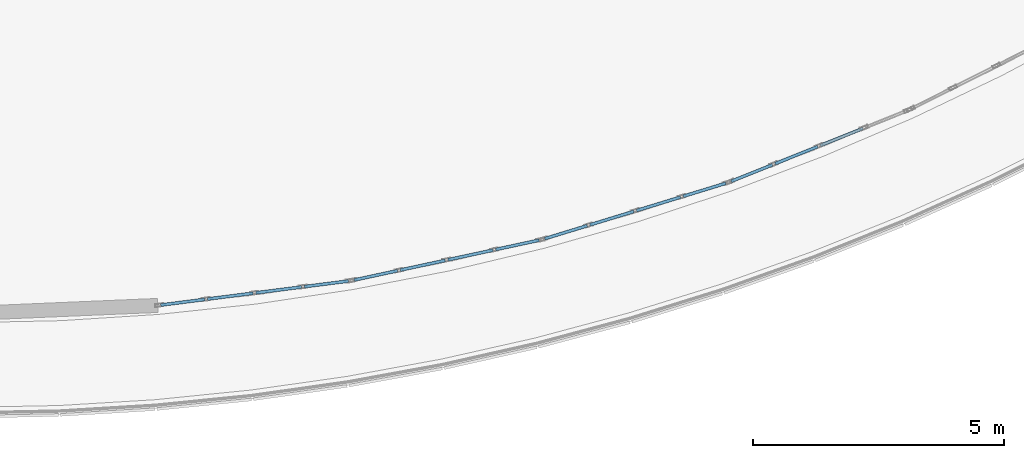
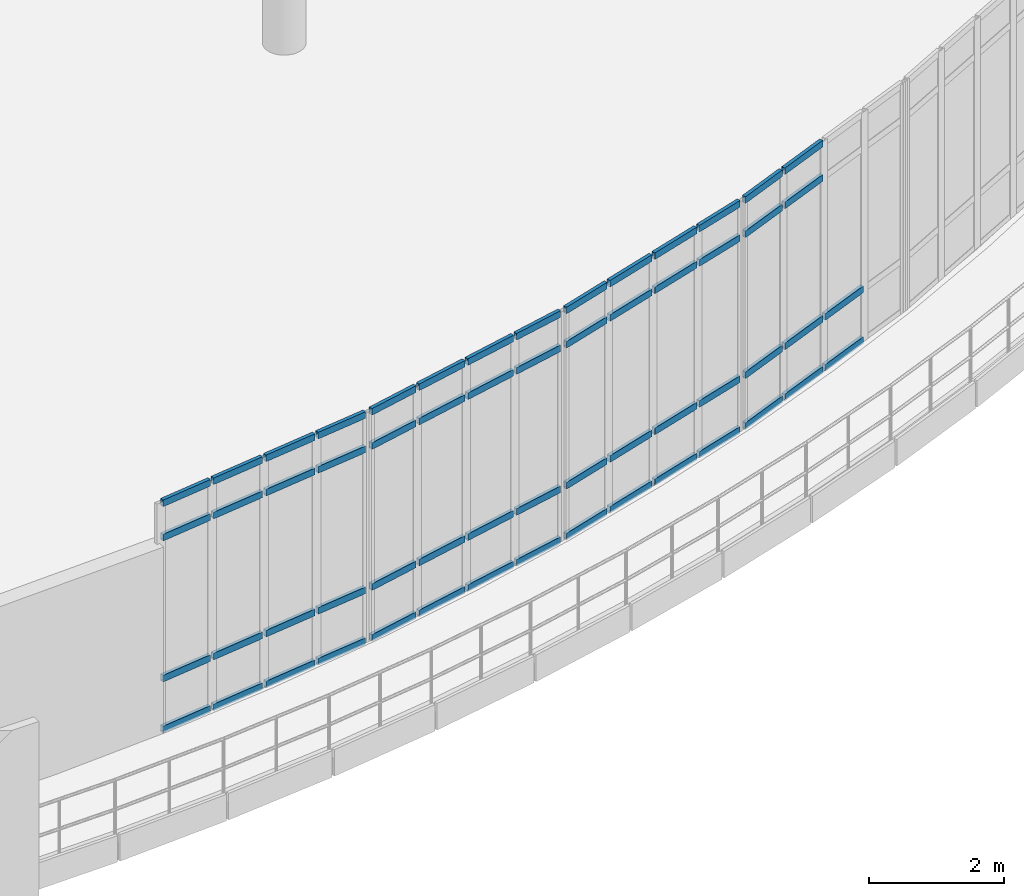
# One storey, part 79 of 116: 58 members, 4 elements without a shape of their own.
"""IFC4 building model written with IfcOpenShell, lengths in metres."""

from ifc_helpers import new_model, si_unit, direction, frame, origin, origin_2d, place, context, subcontext, project, spatial, hollow_rectangle, extrude, material, material_profile, profile_set, type_object, element, aggregate, save


model = new_model("IFC4")

# Units and contexts
model_context = context("Model", 3, precision=1e-05, world=origin(), true_north=direction((0.0, 1.0)))
body_context = subcontext(model_context, "Body", "Model", "MODEL_VIEW")
ifc_project = project(units=[si_unit("LENGTHUNIT", "METRE"), si_unit("AREAUNIT", "SQUARE_METRE"), si_unit("VOLUMEUNIT", "CUBIC_METRE"), si_unit("PLANEANGLEUNIT", "RADIAN"), si_unit("MASSUNIT", "GRAM", prefix="KILO")], contexts=[model_context])

# Site, building, storey
site_placement = place(None, origin())
site = spatial("IfcSite", under=ifc_project, at=site_placement, CompositionType="ELEMENT")
building_placement = place(site_placement, origin())
building = spatial("IfcBuilding", under=site, at=building_placement, Name="Kalluvel Institute of Natural Sciences", CompositionType="ELEMENT")
storey_placement = place(building_placement, frame((0.0, 0.0, 14.39990234375)))
storey = spatial("IfcBuildingStorey", under=building, at=storey_placement, Name="L03", CompositionType="ELEMENT", Elevation=14.39990234375)

# Curtain wall, members
ifc_material = material(Name="Aluminium AW-6063 T6", Category="aluminium")
curtain_wall_type = type_object("IfcCurtainWallType", Name="CW-ATR-ARC", PredefinedType="USERDEFINED", material=ifc_material)
curtain_wall_1_placement = place(storey_placement, origin())
curtain_wall_1 = element("IfcCurtainWall", 1, at=curtain_wall_1_placement, inside=storey, type_object=curtain_wall_type, Name="L03 Gothic lancet curtain wall CWA-L03-X395-Y571", ObjectType="UNITISED LANCET FACADE", PredefinedType="USERDEFINED")
ifc_material_profile = material_profile(ifc_material, hollow_rectangle(XDim=0.06005859375, YDim=0.1201171875, WallThickness=0.00390625, at=origin_2d()), Name="CWT 60x120")
ifc_profile_set = profile_set([ifc_material_profile], Name="Aluminium AW-6063 T6")
member_type = type_object("IfcMemberType", Name="CWT-60x120", PredefinedType="USERDEFINED", material=ifc_profile_set)
member_1_placement = place(storey_placement, frame((39.5478515625, 57.122802734375, 0.030029296875), z_axis=(0.991916497063, 0.126892327801, 0.0), x_axis=(-0.126892327801, 0.991916497063, 0.0)))
member_1 = element("IfcMember", 2, at=member_1_placement, type_object=member_type, Name="CW-05 transom 1.1", ObjectType="TRANSOM", PredefinedType="USERDEFINED", context=body_context, shape_type="SweptSolid", body=[
    extrude(hollow_rectangle(XDim=0.06005859375, YDim=0.1201171875, WallThickness=0.00390625, at=origin_2d()), origin(), (0.0, 0.0, 1.0), 0.883056640625),
])
member_2_placement = place(storey_placement, frame((39.5478515625, 57.122802734375, 0.9501953125), z_axis=(0.991916497063, 0.126892327801, 0.0), x_axis=(-0.126892327801, 0.991916497063, 0.0)))
member_2 = element("IfcMember", 3, at=member_2_placement, type_object=member_type, Name="CW-05 transom 1.2", ObjectType="TRANSOM", PredefinedType="USERDEFINED", context=body_context, shape_type="SweptSolid", body=[
    extrude(hollow_rectangle(XDim=0.06005859375, YDim=0.1201171875, WallThickness=0.00390625, at=origin_2d()), origin(), (0.0, 0.0, 1.0), 0.883056640625),
])
member_3_placement = place(storey_placement, frame((39.5478515625, 57.122802734375, 3.5), z_axis=(0.991916497063, 0.126892327801, 0.0), x_axis=(-0.126892327801, 0.991916497063, 0.0)))
member_3 = element("IfcMember", 4, at=member_3_placement, type_object=member_type, Name="CW-05 transom 1.3", ObjectType="TRANSOM", PredefinedType="USERDEFINED", context=body_context, shape_type="SweptSolid", body=[
    extrude(hollow_rectangle(XDim=0.06005859375, YDim=0.1201171875, WallThickness=0.00390625, at=origin_2d()), origin(), (0.0, 0.0, 1.0), 0.883056640625),
])
member_4_placement = place(storey_placement, frame((39.5478515625, 57.122802734375, 4.1201171875), z_axis=(0.991916497063, 0.126892327801, 0.0), x_axis=(-0.126892327801, 0.991916497063, 0.0)))
member_4 = element("IfcMember", 5, at=member_4_placement, type_object=member_type, Name="CW-05 transom 1.4", ObjectType="TRANSOM", PredefinedType="USERDEFINED", context=body_context, shape_type="SweptSolid", body=[
    extrude(hollow_rectangle(XDim=0.06005859375, YDim=0.1201171875, WallThickness=0.00390625, at=origin_2d()), origin(), (0.0, 0.0, 1.0), 0.883056640625),
])
member_5_placement = place(storey_placement, frame((40.483154296875, 57.24267578125, 0.030029296875), z_axis=(0.991898953717, 0.127029388788, 0.0), x_axis=(-0.127029388788, 0.991898953717, 0.0)))
member_5 = element("IfcMember", 6, at=member_5_placement, type_object=member_type, Name="CW-05 transom 2.1", ObjectType="TRANSOM", PredefinedType="USERDEFINED", context=body_context, shape_type="SweptSolid", body=[
    extrude(hollow_rectangle(XDim=0.06005859375, YDim=0.1201171875, WallThickness=0.00390625, at=origin_2d()), origin(), (0.0, 0.0, 1.0), 0.912841796875),
])
member_6_placement = place(storey_placement, frame((40.483154296875, 57.24267578125, 0.9501953125), z_axis=(0.991898953717, 0.127029388788, 0.0), x_axis=(-0.127029388788, 0.991898953717, 0.0)))
member_6 = element("IfcMember", 7, at=member_6_placement, type_object=member_type, Name="CW-05 transom 2.2", ObjectType="TRANSOM", PredefinedType="USERDEFINED", context=body_context, shape_type="SweptSolid", body=[
    extrude(hollow_rectangle(XDim=0.06005859375, YDim=0.1201171875, WallThickness=0.00390625, at=origin_2d()), origin(), (0.0, 0.0, 1.0), 0.912841796875),
])
member_7_placement = place(storey_placement, frame((40.483154296875, 57.24267578125, 3.5), z_axis=(0.991898953717, 0.127029388788, 0.0), x_axis=(-0.127029388788, 0.991898953717, 0.0)))
member_7 = element("IfcMember", 8, at=member_7_placement, type_object=member_type, Name="CW-05 transom 2.3", ObjectType="TRANSOM", PredefinedType="USERDEFINED", context=body_context, shape_type="SweptSolid", body=[
    extrude(hollow_rectangle(XDim=0.06005859375, YDim=0.1201171875, WallThickness=0.00390625, at=origin_2d()), origin(), (0.0, 0.0, 1.0), 0.912841796875),
])
member_8_placement = place(storey_placement, frame((40.483154296875, 57.24267578125, 4.1201171875), z_axis=(0.991898953717, 0.127029388788, 0.0), x_axis=(-0.127029388788, 0.991898953717, 0.0)))
member_8 = element("IfcMember", 9, at=member_8_placement, type_object=member_type, Name="CW-05 transom 2.4", ObjectType="TRANSOM", PredefinedType="USERDEFINED", context=body_context, shape_type="SweptSolid", body=[
    extrude(hollow_rectangle(XDim=0.06005859375, YDim=0.1201171875, WallThickness=0.00390625, at=origin_2d()), origin(), (0.0, 0.0, 1.0), 0.912841796875),
])
member_9_placement = place(storey_placement, frame((41.4482421875, 57.3662109375, 0.030029296875), z_axis=(0.991898953717, 0.127029388788, 0.0), x_axis=(-0.127029388788, 0.991898953717, 0.0)))
member_9 = element("IfcMember", 10, at=member_9_placement, type_object=member_type, Name="CW-05 transom 3.1", ObjectType="TRANSOM", PredefinedType="USERDEFINED", context=body_context, shape_type="SweptSolid", body=[
    extrude(hollow_rectangle(XDim=0.06005859375, YDim=0.1201171875, WallThickness=0.00390625, at=origin_2d()), origin(), (0.0, 0.0, 1.0), 0.912841796875),
])
member_10_placement = place(storey_placement, frame((41.4482421875, 57.3662109375, 0.9501953125), z_axis=(0.991898953717, 0.127029388788, 0.0), x_axis=(-0.127029388788, 0.991898953717, 0.0)))
member_10 = element("IfcMember", 11, at=member_10_placement, type_object=member_type, Name="CW-05 transom 3.2", ObjectType="TRANSOM", PredefinedType="USERDEFINED", context=body_context, shape_type="SweptSolid", body=[
    extrude(hollow_rectangle(XDim=0.06005859375, YDim=0.1201171875, WallThickness=0.00390625, at=origin_2d()), origin(), (0.0, 0.0, 1.0), 0.912841796875),
])
member_11_placement = place(storey_placement, frame((41.4482421875, 57.3662109375, 3.5), z_axis=(0.991898953717, 0.127029388788, 0.0), x_axis=(-0.127029388788, 0.991898953717, 0.0)))
member_11 = element("IfcMember", 12, at=member_11_placement, type_object=member_type, Name="CW-05 transom 3.3", ObjectType="TRANSOM", PredefinedType="USERDEFINED", context=body_context, shape_type="SweptSolid", body=[
    extrude(hollow_rectangle(XDim=0.06005859375, YDim=0.1201171875, WallThickness=0.00390625, at=origin_2d()), origin(), (0.0, 0.0, 1.0), 0.912841796875),
])
member_12_placement = place(storey_placement, frame((41.4482421875, 57.3662109375, 4.1201171875), z_axis=(0.991898953717, 0.127029388788, 0.0), x_axis=(-0.127029388788, 0.991898953717, 0.0)))
member_12 = element("IfcMember", 13, at=member_12_placement, type_object=member_type, Name="CW-05 transom 3.4", ObjectType="TRANSOM", PredefinedType="USERDEFINED", context=body_context, shape_type="SweptSolid", body=[
    extrude(hollow_rectangle(XDim=0.06005859375, YDim=0.1201171875, WallThickness=0.00390625, at=origin_2d()), origin(), (0.0, 0.0, 1.0), 0.912841796875),
])
member_13_placement = place(storey_placement, frame((42.413330078125, 57.48974609375, 0.030029296875), z_axis=(0.991916497063, 0.126892327801, 0.0), x_axis=(-0.126892327801, 0.991916497063, 0.0)))
member_13 = element("IfcMember", 14, at=member_13_placement, type_object=member_type, Name="CW-05 transom 4.1", ObjectType="TRANSOM", PredefinedType="USERDEFINED", context=body_context, shape_type="SweptSolid", body=[
    extrude(hollow_rectangle(XDim=0.06005859375, YDim=0.1201171875, WallThickness=0.00390625, at=origin_2d()), origin(), (0.0, 0.0, 1.0), 0.883056640625),
])
member_14_placement = place(storey_placement, frame((42.413330078125, 57.48974609375, 0.9501953125), z_axis=(0.991916497063, 0.126892327801, 0.0), x_axis=(-0.126892327801, 0.991916497063, 0.0)))
member_14 = element("IfcMember", 15, at=member_14_placement, type_object=member_type, Name="CW-05 transom 4.2", ObjectType="TRANSOM", PredefinedType="USERDEFINED", context=body_context, shape_type="SweptSolid", body=[
    extrude(hollow_rectangle(XDim=0.06005859375, YDim=0.1201171875, WallThickness=0.00390625, at=origin_2d()), origin(), (0.0, 0.0, 1.0), 0.883056640625),
])
member_15_placement = place(storey_placement, frame((42.413330078125, 57.48974609375, 3.5), z_axis=(0.991916497063, 0.126892327801, 0.0), x_axis=(-0.126892327801, 0.991916497063, 0.0)))
member_15 = element("IfcMember", 16, at=member_15_placement, type_object=member_type, Name="CW-05 transom 4.3", ObjectType="TRANSOM", PredefinedType="USERDEFINED", context=body_context, shape_type="SweptSolid", body=[
    extrude(hollow_rectangle(XDim=0.06005859375, YDim=0.1201171875, WallThickness=0.00390625, at=origin_2d()), origin(), (0.0, 0.0, 1.0), 0.883056640625),
])
member_16_placement = place(storey_placement, frame((42.413330078125, 57.48974609375, 4.1201171875), z_axis=(0.991916497063, 0.126892327801, 0.0), x_axis=(-0.126892327801, 0.991916497063, 0.0)))
member_16 = element("IfcMember", 17, at=member_16_placement, type_object=member_type, Name="CW-05 transom 4.4", ObjectType="TRANSOM", PredefinedType="USERDEFINED", context=body_context, shape_type="SweptSolid", body=[
    extrude(hollow_rectangle(XDim=0.06005859375, YDim=0.1201171875, WallThickness=0.00390625, at=origin_2d()), origin(), (0.0, 0.0, 1.0), 0.883056640625),
])
aggregate(curtain_wall_1, [member_1, member_2, member_3, member_4, member_5, member_6, member_7, member_8, member_9, member_10, member_11, member_12, member_13, member_14, member_15, member_16])

curtain_wall_2_placement = place(storey_placement, origin())
curtain_wall_2 = element("IfcCurtainWall", 18, at=curtain_wall_2_placement, inside=storey, type_object=curtain_wall_type, Name="L03 Gothic lancet curtain wall CWA-L03-X433-Y576", ObjectType="UNITISED LANCET FACADE", PredefinedType="USERDEFINED")
member_17_placement = place(storey_placement, frame((43.407470703125, 57.6220703125, 0.030029296875), z_axis=(0.977546739623, 0.210718703138, 0.0), x_axis=(-0.210718703138, 0.977546739623, 0.0)))
member_17 = element("IfcMember", 19, at=member_17_placement, type_object=member_type, Name="CW-05 transom 1.1", ObjectType="TRANSOM", PredefinedType="USERDEFINED", context=body_context, shape_type="SweptSolid", body=[
    extrude(hollow_rectangle(XDim=0.06005859375, YDim=0.1201171875, WallThickness=0.00390625, at=origin_2d()), origin(), (0.0, 0.0, 1.0), 0.8828125),
])
member_18_placement = place(storey_placement, frame((43.407470703125, 57.6220703125, 0.9501953125), z_axis=(0.977546739623, 0.210718703138, 0.0), x_axis=(-0.210718703138, 0.977546739623, 0.0)))
member_18 = element("IfcMember", 20, at=member_18_placement, type_object=member_type, Name="CW-05 transom 1.2", ObjectType="TRANSOM", PredefinedType="USERDEFINED", context=body_context, shape_type="SweptSolid", body=[
    extrude(hollow_rectangle(XDim=0.06005859375, YDim=0.1201171875, WallThickness=0.00390625, at=origin_2d()), origin(), (0.0, 0.0, 1.0), 0.8828125),
])
member_19_placement = place(storey_placement, frame((43.407470703125, 57.6220703125, 3.5), z_axis=(0.977546739623, 0.210718703138, 0.0), x_axis=(-0.210718703138, 0.977546739623, 0.0)))
member_19 = element("IfcMember", 21, at=member_19_placement, type_object=member_type, Name="CW-05 transom 1.3", ObjectType="TRANSOM", PredefinedType="USERDEFINED", context=body_context, shape_type="SweptSolid", body=[
    extrude(hollow_rectangle(XDim=0.06005859375, YDim=0.1201171875, WallThickness=0.00390625, at=origin_2d()), origin(), (0.0, 0.0, 1.0), 0.8828125),
])
member_20_placement = place(storey_placement, frame((43.407470703125, 57.6220703125, 4.1201171875), z_axis=(0.977546739623, 0.210718703138, 0.0), x_axis=(-0.210718703138, 0.977546739623, 0.0)))
member_20 = element("IfcMember", 22, at=member_20_placement, type_object=member_type, Name="CW-05 transom 1.4", ObjectType="TRANSOM", PredefinedType="USERDEFINED", context=body_context, shape_type="SweptSolid", body=[
    extrude(hollow_rectangle(XDim=0.06005859375, YDim=0.1201171875, WallThickness=0.00390625, at=origin_2d()), origin(), (0.0, 0.0, 1.0), 0.8828125),
])
member_21_placement = place(storey_placement, frame((44.3291015625, 57.82080078125, 0.030029296875), z_axis=(0.977551288935, 0.210697597287, 0.0), x_axis=(-0.210697597287, 0.977551288935, 0.0)))
member_21 = element("IfcMember", 23, at=member_21_placement, type_object=member_type, Name="CW-05 transom 2.1", ObjectType="TRANSOM", PredefinedType="USERDEFINED", context=body_context, shape_type="SweptSolid", body=[
    extrude(hollow_rectangle(XDim=0.06005859375, YDim=0.1201171875, WallThickness=0.00390625, at=origin_2d()), origin(), (0.0, 0.0, 1.0), 0.9130859375),
])
member_22_placement = place(storey_placement, frame((44.3291015625, 57.82080078125, 0.9501953125), z_axis=(0.977551288935, 0.210697597287, 0.0), x_axis=(-0.210697597287, 0.977551288935, 0.0)))
member_22 = element("IfcMember", 24, at=member_22_placement, type_object=member_type, Name="CW-05 transom 2.2", ObjectType="TRANSOM", PredefinedType="USERDEFINED", context=body_context, shape_type="SweptSolid", body=[
    extrude(hollow_rectangle(XDim=0.06005859375, YDim=0.1201171875, WallThickness=0.00390625, at=origin_2d()), origin(), (0.0, 0.0, 1.0), 0.9130859375),
])
member_23_placement = place(storey_placement, frame((44.3291015625, 57.82080078125, 3.5), z_axis=(0.977551288935, 0.210697597287, 0.0), x_axis=(-0.210697597287, 0.977551288935, 0.0)))
member_23 = element("IfcMember", 25, at=member_23_placement, type_object=member_type, Name="CW-05 transom 2.3", ObjectType="TRANSOM", PredefinedType="USERDEFINED", context=body_context, shape_type="SweptSolid", body=[
    extrude(hollow_rectangle(XDim=0.06005859375, YDim=0.1201171875, WallThickness=0.00390625, at=origin_2d()), origin(), (0.0, 0.0, 1.0), 0.9130859375),
])
member_24_placement = place(storey_placement, frame((44.3291015625, 57.82080078125, 4.1201171875), z_axis=(0.977551288935, 0.210697597287, 0.0), x_axis=(-0.210697597287, 0.977551288935, 0.0)))
member_24 = element("IfcMember", 26, at=member_24_placement, type_object=member_type, Name="CW-05 transom 2.4", ObjectType="TRANSOM", PredefinedType="USERDEFINED", context=body_context, shape_type="SweptSolid", body=[
    extrude(hollow_rectangle(XDim=0.06005859375, YDim=0.1201171875, WallThickness=0.00390625, at=origin_2d()), origin(), (0.0, 0.0, 1.0), 0.9130859375),
])
member_25_placement = place(storey_placement, frame((45.2802734375, 58.02587890625, 0.030029296875), z_axis=(0.977606330848, 0.210442063014, 0.0), x_axis=(-0.210442063014, 0.977606330848, 0.0)))
member_25 = element("IfcMember", 27, at=member_25_placement, type_object=member_type, Name="CW-05 transom 3.1", ObjectType="TRANSOM", PredefinedType="USERDEFINED", context=body_context, shape_type="SweptSolid", body=[
    extrude(hollow_rectangle(XDim=0.06005859375, YDim=0.1201171875, WallThickness=0.00390625, at=origin_2d()), origin(), (0.0, 0.0, 1.0), 0.9130859375),
])
member_26_placement = place(storey_placement, frame((45.2802734375, 58.02587890625, 0.9501953125), z_axis=(0.977606330848, 0.210442063014, 0.0), x_axis=(-0.210442063014, 0.977606330848, 0.0)))
member_26 = element("IfcMember", 28, at=member_26_placement, type_object=member_type, Name="CW-05 transom 3.2", ObjectType="TRANSOM", PredefinedType="USERDEFINED", context=body_context, shape_type="SweptSolid", body=[
    extrude(hollow_rectangle(XDim=0.06005859375, YDim=0.1201171875, WallThickness=0.00390625, at=origin_2d()), origin(), (0.0, 0.0, 1.0), 0.9130859375),
])
member_27_placement = place(storey_placement, frame((45.2802734375, 58.02587890625, 3.5), z_axis=(0.977606330848, 0.210442063014, 0.0), x_axis=(-0.210442063014, 0.977606330848, 0.0)))
member_27 = element("IfcMember", 29, at=member_27_placement, type_object=member_type, Name="CW-05 transom 3.3", ObjectType="TRANSOM", PredefinedType="USERDEFINED", context=body_context, shape_type="SweptSolid", body=[
    extrude(hollow_rectangle(XDim=0.06005859375, YDim=0.1201171875, WallThickness=0.00390625, at=origin_2d()), origin(), (0.0, 0.0, 1.0), 0.9130859375),
])
member_28_placement = place(storey_placement, frame((45.2802734375, 58.02587890625, 4.1201171875), z_axis=(0.977606330848, 0.210442063014, 0.0), x_axis=(-0.210442063014, 0.977606330848, 0.0)))
member_28 = element("IfcMember", 30, at=member_28_placement, type_object=member_type, Name="CW-05 transom 3.4", ObjectType="TRANSOM", PredefinedType="USERDEFINED", context=body_context, shape_type="SweptSolid", body=[
    extrude(hollow_rectangle(XDim=0.06005859375, YDim=0.1201171875, WallThickness=0.00390625, at=origin_2d()), origin(), (0.0, 0.0, 1.0), 0.9130859375),
])
member_29_placement = place(storey_placement, frame((46.2314453125, 58.230712890625, 0.030029296875), z_axis=(0.977546739623, 0.210718703138, 0.0), x_axis=(-0.210718703138, 0.977546739623, 0.0)))
member_29 = element("IfcMember", 31, at=member_29_placement, type_object=member_type, Name="CW-05 transom 4.1", ObjectType="TRANSOM", PredefinedType="USERDEFINED", context=body_context, shape_type="SweptSolid", body=[
    extrude(hollow_rectangle(XDim=0.06005859375, YDim=0.1201171875, WallThickness=0.00390625, at=origin_2d()), origin(), (0.0, 0.0, 1.0), 0.8828125),
])
member_30_placement = place(storey_placement, frame((46.2314453125, 58.230712890625, 0.9501953125), z_axis=(0.977546739623, 0.210718703138, 0.0), x_axis=(-0.210718703138, 0.977546739623, 0.0)))
member_30 = element("IfcMember", 32, at=member_30_placement, type_object=member_type, Name="CW-05 transom 4.2", ObjectType="TRANSOM", PredefinedType="USERDEFINED", context=body_context, shape_type="SweptSolid", body=[
    extrude(hollow_rectangle(XDim=0.06005859375, YDim=0.1201171875, WallThickness=0.00390625, at=origin_2d()), origin(), (0.0, 0.0, 1.0), 0.8828125),
])
member_31_placement = place(storey_placement, frame((46.2314453125, 58.230712890625, 3.5), z_axis=(0.977546739623, 0.210718703138, 0.0), x_axis=(-0.210718703138, 0.977546739623, 0.0)))
member_31 = element("IfcMember", 33, at=member_31_placement, type_object=member_type, Name="CW-05 transom 4.3", ObjectType="TRANSOM", PredefinedType="USERDEFINED", context=body_context, shape_type="SweptSolid", body=[
    extrude(hollow_rectangle(XDim=0.06005859375, YDim=0.1201171875, WallThickness=0.00390625, at=origin_2d()), origin(), (0.0, 0.0, 1.0), 0.8828125),
])
member_32_placement = place(storey_placement, frame((46.2314453125, 58.230712890625, 4.1201171875), z_axis=(0.977546739623, 0.210718703138, 0.0), x_axis=(-0.210718703138, 0.977546739623, 0.0)))
member_32 = element("IfcMember", 34, at=member_32_placement, type_object=member_type, Name="CW-05 transom 4.4", ObjectType="TRANSOM", PredefinedType="USERDEFINED", context=body_context, shape_type="SweptSolid", body=[
    extrude(hollow_rectangle(XDim=0.06005859375, YDim=0.1201171875, WallThickness=0.00390625, at=origin_2d()), origin(), (0.0, 0.0, 1.0), 0.8828125),
])
aggregate(curtain_wall_2, [member_17, member_18, member_19, member_20, member_21, member_22, member_23, member_24, member_25, member_26, member_27, member_28, member_29, member_30, member_31, member_32])

curtain_wall_3_placement = place(storey_placement, origin())
curtain_wall_3 = element("IfcCurtainWall", 35, at=curtain_wall_3_placement, inside=storey, type_object=curtain_wall_type, Name="L03 Gothic lancet curtain wall CWA-L03-X472-Y584", ObjectType="UNITISED LANCET FACADE", PredefinedType="USERDEFINED")
member_33_placement = place(storey_placement, frame((47.21044921875, 58.447021484375, 0.030029296875), z_axis=(0.956190480826, 0.292745220929, 0.0), x_axis=(-0.292745220929, 0.956190480826, 0.0)))
member_33 = element("IfcMember", 36, at=member_33_placement, type_object=member_type, Name="CW-05 transom 1.1", ObjectType="TRANSOM", PredefinedType="USERDEFINED", context=body_context, shape_type="SweptSolid", body=[
    extrude(hollow_rectangle(XDim=0.06005859375, YDim=0.1201171875, WallThickness=0.00390625, at=origin_2d()), origin(), (0.0, 0.0, 1.0), 0.883056640625),
])
member_34_placement = place(storey_placement, frame((47.21044921875, 58.447021484375, 0.9501953125), z_axis=(0.956190480826, 0.292745220929, 0.0), x_axis=(-0.292745220929, 0.956190480826, 0.0)))
member_34 = element("IfcMember", 37, at=member_34_placement, type_object=member_type, Name="CW-05 transom 1.2", ObjectType="TRANSOM", PredefinedType="USERDEFINED", context=body_context, shape_type="SweptSolid", body=[
    extrude(hollow_rectangle(XDim=0.06005859375, YDim=0.1201171875, WallThickness=0.00390625, at=origin_2d()), origin(), (0.0, 0.0, 1.0), 0.883056640625),
])
member_35_placement = place(storey_placement, frame((47.21044921875, 58.447021484375, 3.5), z_axis=(0.956190480826, 0.292745220929, 0.0), x_axis=(-0.292745220929, 0.956190480826, 0.0)))
member_35 = element("IfcMember", 38, at=member_35_placement, type_object=member_type, Name="CW-05 transom 1.3", ObjectType="TRANSOM", PredefinedType="USERDEFINED", context=body_context, shape_type="SweptSolid", body=[
    extrude(hollow_rectangle(XDim=0.06005859375, YDim=0.1201171875, WallThickness=0.00390625, at=origin_2d()), origin(), (0.0, 0.0, 1.0), 0.883056640625),
])
member_36_placement = place(storey_placement, frame((47.21044921875, 58.447021484375, 4.1201171875), z_axis=(0.956190480826, 0.292745220929, 0.0), x_axis=(-0.292745220929, 0.956190480826, 0.0)))
member_36 = element("IfcMember", 39, at=member_36_placement, type_object=member_type, Name="CW-05 transom 1.4", ObjectType="TRANSOM", PredefinedType="USERDEFINED", context=body_context, shape_type="SweptSolid", body=[
    extrude(hollow_rectangle(XDim=0.06005859375, YDim=0.1201171875, WallThickness=0.00390625, at=origin_2d()), origin(), (0.0, 0.0, 1.0), 0.883056640625),
])
member_37_placement = place(storey_placement, frame((48.1123046875, 58.72314453125, 0.030029296875), z_axis=(0.956154111698, 0.29286398666, 0.0), x_axis=(-0.29286398666, 0.956154111698, 0.0)))
member_37 = element("IfcMember", 40, at=member_37_placement, type_object=member_type, Name="CW-05 transom 2.1", ObjectType="TRANSOM", PredefinedType="USERDEFINED", context=body_context, shape_type="SweptSolid", body=[
    extrude(hollow_rectangle(XDim=0.06005859375, YDim=0.1201171875, WallThickness=0.00390625, at=origin_2d()), origin(), (0.0, 0.0, 1.0), 0.912841796875),
])
member_38_placement = place(storey_placement, frame((48.1123046875, 58.72314453125, 0.9501953125), z_axis=(0.956154111698, 0.29286398666, 0.0), x_axis=(-0.29286398666, 0.956154111698, 0.0)))
member_38 = element("IfcMember", 41, at=member_38_placement, type_object=member_type, Name="CW-05 transom 2.2", ObjectType="TRANSOM", PredefinedType="USERDEFINED", context=body_context, shape_type="SweptSolid", body=[
    extrude(hollow_rectangle(XDim=0.06005859375, YDim=0.1201171875, WallThickness=0.00390625, at=origin_2d()), origin(), (0.0, 0.0, 1.0), 0.912841796875),
])
member_39_placement = place(storey_placement, frame((48.1123046875, 58.72314453125, 3.5), z_axis=(0.956154111698, 0.29286398666, 0.0), x_axis=(-0.29286398666, 0.956154111698, 0.0)))
member_39 = element("IfcMember", 42, at=member_39_placement, type_object=member_type, Name="CW-05 transom 2.3", ObjectType="TRANSOM", PredefinedType="USERDEFINED", context=body_context, shape_type="SweptSolid", body=[
    extrude(hollow_rectangle(XDim=0.06005859375, YDim=0.1201171875, WallThickness=0.00390625, at=origin_2d()), origin(), (0.0, 0.0, 1.0), 0.912841796875),
])
member_40_placement = place(storey_placement, frame((48.1123046875, 58.72314453125, 4.1201171875), z_axis=(0.956154111698, 0.29286398666, 0.0), x_axis=(-0.29286398666, 0.956154111698, 0.0)))
member_40 = element("IfcMember", 43, at=member_40_placement, type_object=member_type, Name="CW-05 transom 2.4", ObjectType="TRANSOM", PredefinedType="USERDEFINED", context=body_context, shape_type="SweptSolid", body=[
    extrude(hollow_rectangle(XDim=0.06005859375, YDim=0.1201171875, WallThickness=0.00390625, at=origin_2d()), origin(), (0.0, 0.0, 1.0), 0.912841796875),
])
member_41_placement = place(storey_placement, frame((49.04248046875, 59.008056640625, 0.030029296875), z_axis=(0.956177042394, 0.292789111136, 0.0), x_axis=(-0.292789111136, 0.956177042394, 0.0)))
member_41 = element("IfcMember", 44, at=member_41_placement, type_object=member_type, Name="CW-05 transom 3.1", ObjectType="TRANSOM", PredefinedType="USERDEFINED", context=body_context, shape_type="SweptSolid", body=[
    extrude(hollow_rectangle(XDim=0.06005859375, YDim=0.1201171875, WallThickness=0.00390625, at=origin_2d()), origin(), (0.0, 0.0, 1.0), 0.9130859375),
])
member_42_placement = place(storey_placement, frame((49.04248046875, 59.008056640625, 0.9501953125), z_axis=(0.956177042394, 0.292789111136, 0.0), x_axis=(-0.292789111136, 0.956177042394, 0.0)))
member_42 = element("IfcMember", 45, at=member_42_placement, type_object=member_type, Name="CW-05 transom 3.2", ObjectType="TRANSOM", PredefinedType="USERDEFINED", context=body_context, shape_type="SweptSolid", body=[
    extrude(hollow_rectangle(XDim=0.06005859375, YDim=0.1201171875, WallThickness=0.00390625, at=origin_2d()), origin(), (0.0, 0.0, 1.0), 0.9130859375),
])
member_43_placement = place(storey_placement, frame((49.04248046875, 59.008056640625, 3.5), z_axis=(0.956177042394, 0.292789111136, 0.0), x_axis=(-0.292789111136, 0.956177042394, 0.0)))
member_43 = element("IfcMember", 46, at=member_43_placement, type_object=member_type, Name="CW-05 transom 3.3", ObjectType="TRANSOM", PredefinedType="USERDEFINED", context=body_context, shape_type="SweptSolid", body=[
    extrude(hollow_rectangle(XDim=0.06005859375, YDim=0.1201171875, WallThickness=0.00390625, at=origin_2d()), origin(), (0.0, 0.0, 1.0), 0.9130859375),
])
member_44_placement = place(storey_placement, frame((49.04248046875, 59.008056640625, 4.1201171875), z_axis=(0.956177042394, 0.292789111136, 0.0), x_axis=(-0.292789111136, 0.956177042394, 0.0)))
member_44 = element("IfcMember", 47, at=member_44_placement, type_object=member_type, Name="CW-05 transom 3.4", ObjectType="TRANSOM", PredefinedType="USERDEFINED", context=body_context, shape_type="SweptSolid", body=[
    extrude(hollow_rectangle(XDim=0.06005859375, YDim=0.1201171875, WallThickness=0.00390625, at=origin_2d()), origin(), (0.0, 0.0, 1.0), 0.9130859375),
])
member_45_placement = place(storey_placement, frame((49.972900390625, 59.29296875, 0.030029296875), z_axis=(0.956166780971, 0.292822620315, 0.0), x_axis=(-0.292822620315, 0.956166780971, 0.0)))
member_45 = element("IfcMember", 48, at=member_45_placement, type_object=member_type, Name="CW-05 transom 4.1", ObjectType="TRANSOM", PredefinedType="USERDEFINED", context=body_context, shape_type="SweptSolid", body=[
    extrude(hollow_rectangle(XDim=0.06005859375, YDim=0.1201171875, WallThickness=0.00390625, at=origin_2d()), origin(), (0.0, 0.0, 1.0), 0.883056640625),
])
member_46_placement = place(storey_placement, frame((49.972900390625, 59.29296875, 0.9501953125), z_axis=(0.956166780971, 0.292822620315, 0.0), x_axis=(-0.292822620315, 0.956166780971, 0.0)))
member_46 = element("IfcMember", 49, at=member_46_placement, type_object=member_type, Name="CW-05 transom 4.2", ObjectType="TRANSOM", PredefinedType="USERDEFINED", context=body_context, shape_type="SweptSolid", body=[
    extrude(hollow_rectangle(XDim=0.06005859375, YDim=0.1201171875, WallThickness=0.00390625, at=origin_2d()), origin(), (0.0, 0.0, 1.0), 0.883056640625),
])
member_47_placement = place(storey_placement, frame((49.972900390625, 59.29296875, 3.5), z_axis=(0.956166780971, 0.292822620315, 0.0), x_axis=(-0.292822620315, 0.956166780971, 0.0)))
member_47 = element("IfcMember", 50, at=member_47_placement, type_object=member_type, Name="CW-05 transom 4.3", ObjectType="TRANSOM", PredefinedType="USERDEFINED", context=body_context, shape_type="SweptSolid", body=[
    extrude(hollow_rectangle(XDim=0.06005859375, YDim=0.1201171875, WallThickness=0.00390625, at=origin_2d()), origin(), (0.0, 0.0, 1.0), 0.883056640625),
])
member_48_placement = place(storey_placement, frame((49.972900390625, 59.29296875, 4.1201171875), z_axis=(0.956166780971, 0.292822620315, 0.0), x_axis=(-0.292822620315, 0.956166780971, 0.0)))
member_48 = element("IfcMember", 51, at=member_48_placement, type_object=member_type, Name="CW-05 transom 4.4", ObjectType="TRANSOM", PredefinedType="USERDEFINED", context=body_context, shape_type="SweptSolid", body=[
    extrude(hollow_rectangle(XDim=0.06005859375, YDim=0.1201171875, WallThickness=0.00390625, at=origin_2d()), origin(), (0.0, 0.0, 1.0), 0.883056640625),
])
aggregate(curtain_wall_3, [member_33, member_34, member_35, member_36, member_37, member_38, member_39, member_40, member_41, member_42, member_43, member_44, member_45, member_46, member_47, member_48])

curtain_wall_4_placement = place(storey_placement, origin())
curtain_wall_4 = element("IfcCurtainWall", 52, at=curtain_wall_4_placement, inside=storey, type_object=curtain_wall_type, Name="L03 Gothic lancet curtain wall CWA-L03-X509-Y596", ObjectType="UNITISED LANCET FACADE", PredefinedType="USERDEFINED")
member_49_placement = place(storey_placement, frame((50.93017578125, 59.591552734375, 0.030029296875), z_axis=(0.927941795839, 0.372725131344, 0.0), x_axis=(-0.372725131344, 0.927941795839, 0.0)))
member_49 = element("IfcMember", 53, at=member_49_placement, type_object=member_type, Name="CW-05 transom 1.1", ObjectType="TRANSOM", PredefinedType="USERDEFINED", context=body_context, shape_type="SweptSolid", body=[
    extrude(hollow_rectangle(XDim=0.06005859375, YDim=0.1201171875, WallThickness=0.00390625, at=origin_2d()), origin(), (0.0, 0.0, 1.0), 0.883056640625),
])
member_50_placement = place(storey_placement, frame((50.93017578125, 59.591552734375, 0.9501953125), z_axis=(0.927941795839, 0.372725131344, 0.0), x_axis=(-0.372725131344, 0.927941795839, 0.0)))
member_50 = element("IfcMember", 54, at=member_50_placement, type_object=member_type, Name="CW-05 transom 1.2", ObjectType="TRANSOM", PredefinedType="USERDEFINED", context=body_context, shape_type="SweptSolid", body=[
    extrude(hollow_rectangle(XDim=0.06005859375, YDim=0.1201171875, WallThickness=0.00390625, at=origin_2d()), origin(), (0.0, 0.0, 1.0), 0.883056640625),
])
member_51_placement = place(storey_placement, frame((50.93017578125, 59.591552734375, 3.5), z_axis=(0.927941795839, 0.372725131344, 0.0), x_axis=(-0.372725131344, 0.927941795839, 0.0)))
member_51 = element("IfcMember", 55, at=member_51_placement, type_object=member_type, Name="CW-05 transom 1.3", ObjectType="TRANSOM", PredefinedType="USERDEFINED", context=body_context, shape_type="SweptSolid", body=[
    extrude(hollow_rectangle(XDim=0.06005859375, YDim=0.1201171875, WallThickness=0.00390625, at=origin_2d()), origin(), (0.0, 0.0, 1.0), 0.883056640625),
])
member_52_placement = place(storey_placement, frame((50.93017578125, 59.591552734375, 4.1201171875), z_axis=(0.927941795839, 0.372725131344, 0.0), x_axis=(-0.372725131344, 0.927941795839, 0.0)))
member_52 = element("IfcMember", 56, at=member_52_placement, type_object=member_type, Name="CW-05 transom 1.4", ObjectType="TRANSOM", PredefinedType="USERDEFINED", context=body_context, shape_type="SweptSolid", body=[
    extrude(hollow_rectangle(XDim=0.06005859375, YDim=0.1201171875, WallThickness=0.00390625, at=origin_2d()), origin(), (0.0, 0.0, 1.0), 0.883056640625),
])
member_53_placement = place(storey_placement, frame((51.80517578125, 59.943115234375, 0.030029296875), z_axis=(0.927922392769, 0.372773433868, 0.0), x_axis=(-0.372773433868, 0.927922392769, 0.0)))
member_53 = element("IfcMember", 57, at=member_53_placement, type_object=member_type, Name="CW-05 transom 2.1", ObjectType="TRANSOM", PredefinedType="USERDEFINED", context=body_context, shape_type="SweptSolid", body=[
    extrude(hollow_rectangle(XDim=0.06005859375, YDim=0.1201171875, WallThickness=0.00390625, at=origin_2d()), origin(), (0.0, 0.0, 1.0), 0.9130859375),
])
member_54_placement = place(storey_placement, frame((51.80517578125, 59.943115234375, 0.9501953125), z_axis=(0.927922392769, 0.372773433868, 0.0), x_axis=(-0.372773433868, 0.927922392769, 0.0)))
member_54 = element("IfcMember", 58, at=member_54_placement, type_object=member_type, Name="CW-05 transom 2.2", ObjectType="TRANSOM", PredefinedType="USERDEFINED", context=body_context, shape_type="SweptSolid", body=[
    extrude(hollow_rectangle(XDim=0.06005859375, YDim=0.1201171875, WallThickness=0.00390625, at=origin_2d()), origin(), (0.0, 0.0, 1.0), 0.9130859375),
])
member_55_placement = place(storey_placement, frame((51.80517578125, 59.943115234375, 3.5), z_axis=(0.927922392769, 0.372773433868, 0.0), x_axis=(-0.372773433868, 0.927922392769, 0.0)))
member_55 = element("IfcMember", 59, at=member_55_placement, type_object=member_type, Name="CW-05 transom 2.3", ObjectType="TRANSOM", PredefinedType="USERDEFINED", context=body_context, shape_type="SweptSolid", body=[
    extrude(hollow_rectangle(XDim=0.06005859375, YDim=0.1201171875, WallThickness=0.00390625, at=origin_2d()), origin(), (0.0, 0.0, 1.0), 0.9130859375),
])
member_56_placement = place(storey_placement, frame((51.80517578125, 59.943115234375, 4.1201171875), z_axis=(0.927922392769, 0.372773433868, 0.0), x_axis=(-0.372773433868, 0.927922392769, 0.0)))
member_56 = element("IfcMember", 60, at=member_56_placement, type_object=member_type, Name="CW-05 transom 2.4", ObjectType="TRANSOM", PredefinedType="USERDEFINED", context=body_context, shape_type="SweptSolid", body=[
    extrude(hollow_rectangle(XDim=0.06005859375, YDim=0.1201171875, WallThickness=0.00390625, at=origin_2d()), origin(), (0.0, 0.0, 1.0), 0.9130859375),
])
member_57_placement = place(storey_placement, frame((52.7080078125, 60.305908203125, 0.030029296875), z_axis=(0.927922392769, 0.372773433868, 0.0), x_axis=(-0.372773433868, 0.927922392769, 0.0)))
member_57 = element("IfcMember", 61, at=member_57_placement, type_object=member_type, Name="CW-05 transom 3.1", ObjectType="TRANSOM", PredefinedType="USERDEFINED", context=body_context, shape_type="SweptSolid", body=[
    extrude(hollow_rectangle(XDim=0.06005859375, YDim=0.1201171875, WallThickness=0.00390625, at=origin_2d()), origin(), (0.0, 0.0, 1.0), 0.9130859375),
])
member_58_placement = place(storey_placement, frame((52.7080078125, 60.305908203125, 0.9501953125), z_axis=(0.927922392769, 0.372773433868, 0.0), x_axis=(-0.372773433868, 0.927922392769, 0.0)))
member_58 = element("IfcMember", 62, at=member_58_placement, type_object=member_type, Name="CW-05 transom 3.2", ObjectType="TRANSOM", PredefinedType="USERDEFINED", context=body_context, shape_type="SweptSolid", body=[
    extrude(hollow_rectangle(XDim=0.06005859375, YDim=0.1201171875, WallThickness=0.00390625, at=origin_2d()), origin(), (0.0, 0.0, 1.0), 0.9130859375),
])
aggregate(curtain_wall_4, [member_49, member_50, member_51, member_52, member_53, member_54, member_55, member_56, member_57, member_58])

save(model, "model.ifc")
